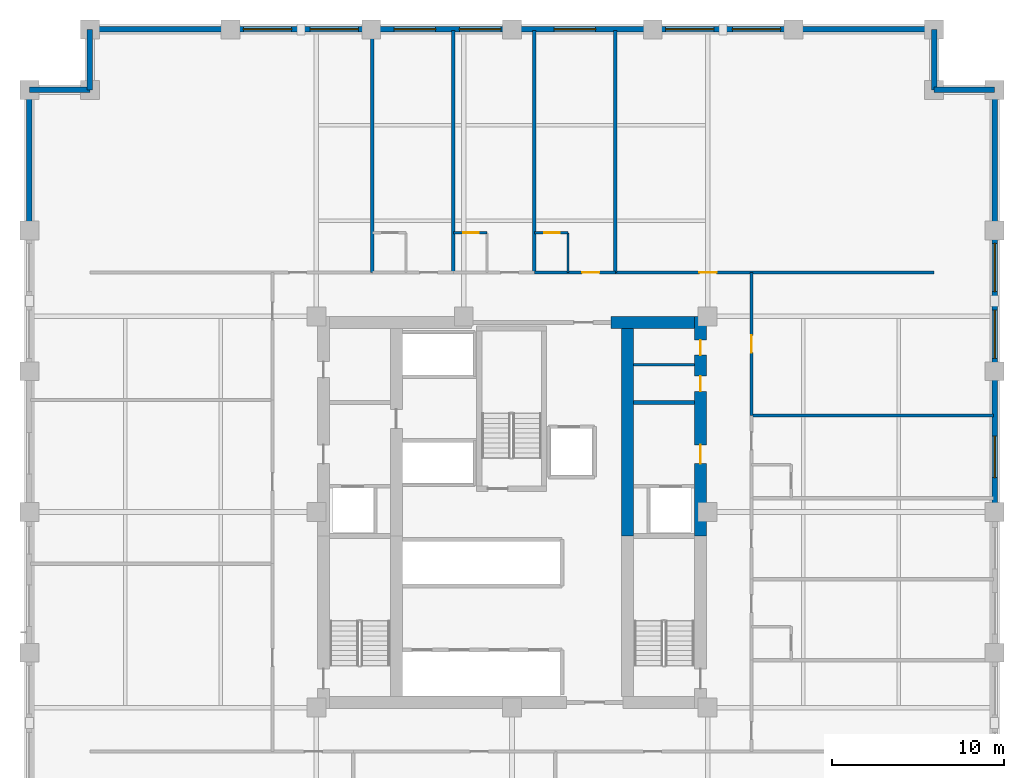
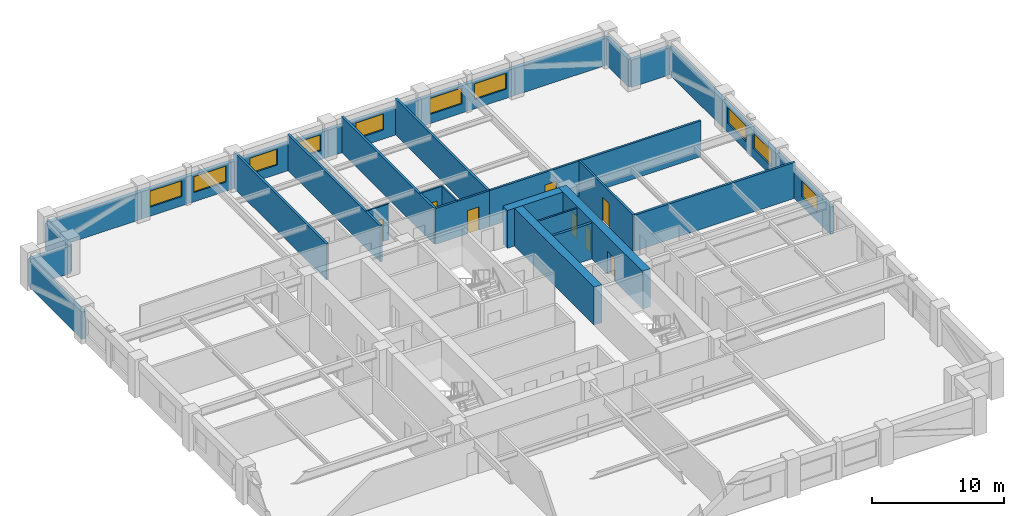
# One storey, part 6 of 8: 30 walls, 10 windows, 8 doors, 18 openings.
"""IFC4 building model written with IfcOpenShell, lengths in metres."""

from ifc_helpers import new_model, si_unit, direction, frame, frame_2d, origin, place, context, subcontext, project, spatial, rectangle, extrude, material, layer, layer_set, type_object, element, fill, save


model = new_model("IFC4")

# Units and contexts
model_context = context("Model", 3, precision=1e-05, world=origin(), true_north=direction((0.0, 1.0)))
body_context = subcontext(model_context, "Body", "Model", "MODEL_VIEW")
ifc_project = project(units=[si_unit("LENGTHUNIT", "METRE"), si_unit("AREAUNIT", "SQUARE_METRE"), si_unit("VOLUMEUNIT", "CUBIC_METRE"), si_unit("PLANEANGLEUNIT", "RADIAN"), si_unit("MASSUNIT", "GRAM", prefix="KILO")], contexts=[model_context])

# Site, building, storey
site_placement = place(None, origin())
site = spatial("IfcSite", under=ifc_project, at=site_placement, CompositionType="ELEMENT")
building_placement = place(site_placement, origin())
building = spatial("IfcBuilding", under=site, at=building_placement, Name="Nhamokura Convention Tower", CompositionType="ELEMENT")
storey_placement = place(building_placement, frame((0.0, 0.0, 56.35009765625)))
storey = spatial("IfcBuildingStorey", under=building, at=storey_placement, Name="L12", CompositionType="ELEMENT", Elevation=56.35009765625)

# Wall
ifc_material_1 = material(Name="Moisture-resistant tile-backer partition", Category="masonry")
ifc_layer_1 = layer(ifc_material_1, 0.139892578125)
ifc_layer_set_1 = layer_set([ifc_layer_1], Name="BathroomWetWall_140")
wall_type_1 = type_object("IfcWallType", Name="BathroomWetWall_140", PredefinedType="STANDARD", material=ifc_layer_set_1)
wall_1_placement = place(storey_placement, frame((39.06005859375, 40.550048828125, 0.0), z_axis=(0.0, 0.0, 1.0), x_axis=(1.0, 0.0, 0.0)))
element("IfcWall", 1, at=wall_1_placement, inside=storey, type_object=wall_type_1, Name="L12 Wall INT-L12-CWNE", PredefinedType="STANDARD", context=body_context, shape_type="SweptSolid", body=[
    extrude(rectangle(XDim=3.530029296875, YDim=0.139892578125, at=frame_2d((1.76513671875, 0.0))), origin(), (0.0, 0.0, 1.0), 3.31982421875),
])

# Wall, opening, door
wall_2_placement = place(storey_placement, frame((28.60009765625, 48.199951171875, 0.0), z_axis=(0.0, 0.0, 1.0), x_axis=(1.0, 0.0, 0.0)))
wall_2 = element("IfcWall", 2, at=wall_2_placement, inside=storey, type_object=wall_type_1, Name="L12 Wall INT-L12-BW-N02N", PredefinedType="STANDARD", context=body_context, shape_type="SweptSolid", body=[
    extrude(rectangle(XDim=1.949951171875, YDim=0.139892578125, at=frame_2d((0.97509765625, 0.0))), origin(), (0.0, 0.0, 1.0), 3.31982421875),
])
opening_1_placement = place(wall_2_placement, frame((0.580078125, 0.0, 0.0)))
opening_1 = element("IfcOpeningElement", 3, at=opening_1_placement, cuts=wall_2, Name="Opening D-11", PredefinedType="OPENING", context=body_context, shape_type="SweptSolid", body=[
    extrude(rectangle(XDim=0.8798828125, YDim=2.10009765625, at=frame_2d((0.43994140625, 1.050048828125))), frame((0.0, 0.079833984375, 0.0), z_axis=(0.0, -1.0, 0.0), x_axis=(1.0, 0.0, 0.0)), (0.0, 0.0, 1.0), 0.159912109375),
])
ifc_material_2 = material(Name="Solid oak hardwood", Category="wood")
door_type_1 = type_object("IfcDoorType", Name="BathroomDoor_880", OperationType="NOTDEFINED", PredefinedType="DOOR", material=ifc_material_2)
door_1_placement = place(opening_1_placement, origin())
door_1 = element("IfcDoor", 4, at=door_1_placement, inside=storey, type_object=door_type_1, Name="L12 Guest Room En-suite Door", OperationType="SINGLE_SWING_RIGHT", OverallHeight=2.10009765625, OverallWidth=0.8798828125, PredefinedType="DOOR", context=body_context, shape_type="SweptSolid", body=[
    extrude(rectangle(XDim=0.8798828125, YDim=2.10009765625, at=frame_2d((0.43994140625, 1.050048828125))), frame((0.0, 0.02490234375, 0.0), z_axis=(0.0, -1.0, 0.0), x_axis=(1.0, 0.0, 0.0)), (0.0, 0.0, 1.0), 0.050048828125),
])
fill(opening_1, door_1)

# Wall
wall_3_placement = place(storey_placement, frame((35.25, 45.89990234375, 0.0), z_axis=(0.0, 0.0, 1.0), x_axis=(0.0, 1.0, 0.0)))
element("IfcWall", 5, at=wall_3_placement, inside=storey, type_object=wall_type_1, Name="L12 Wall INT-L12-BW-N03E", PredefinedType="STANDARD", context=body_context, shape_type="SweptSolid", body=[
    extrude(rectangle(XDim=2.300048828125, YDim=0.139892578125, at=frame_2d((1.14990234375, 0.0))), origin(), (0.0, 0.0, 1.0), 3.31982421875),
])

# Wall, opening, door
wall_4_placement = place(storey_placement, frame((33.300048828125, 48.199951171875, 0.0), z_axis=(0.0, 0.0, 1.0), x_axis=(1.0, 0.0, 0.0)))
wall_4 = element("IfcWall", 6, at=wall_4_placement, inside=storey, type_object=wall_type_1, Name="L12 Wall INT-L12-BW-N03N", PredefinedType="STANDARD", context=body_context, shape_type="SweptSolid", body=[
    extrude(rectangle(XDim=1.949951171875, YDim=0.139892578125, at=frame_2d((0.97509765625, 0.0))), origin(), (0.0, 0.0, 1.0), 3.31982421875),
])
opening_2_placement = place(wall_4_placement, frame((0.580078125, 0.0, 0.0)))
opening_2 = element("IfcOpeningElement", 7, at=opening_2_placement, cuts=wall_4, Name="Opening D-11", PredefinedType="OPENING", context=body_context, shape_type="SweptSolid", body=[
    extrude(rectangle(XDim=0.8798828125, YDim=2.10009765625, at=frame_2d((0.43994140625, 1.050048828125))), frame((0.0, 0.079833984375, 0.0), z_axis=(0.0, -1.0, 0.0), x_axis=(1.0, 0.0, 0.0)), (0.0, 0.0, 1.0), 0.159912109375),
])
door_2_placement = place(opening_2_placement, origin())
door_2 = element("IfcDoor", 8, at=door_2_placement, inside=storey, type_object=door_type_1, Name="L12 Guest Room En-suite Door", OperationType="SINGLE_SWING_RIGHT", OverallHeight=2.10009765625, OverallWidth=0.8798828125, PredefinedType="DOOR", context=body_context, shape_type="SweptSolid", body=[
    extrude(rectangle(XDim=0.8798828125, YDim=2.10009765625, at=frame_2d((0.43994140625, 1.050048828125))), frame((0.0, 0.02490234375, 0.0), z_axis=(0.0, -1.0, 0.0), x_axis=(1.0, 0.0, 0.0)), (0.0, 0.0, 1.0), 0.050048828125),
])
fill(opening_2, door_2)

# Wall
ifc_material_3 = material(Name="Bronze-pigmented precast concrete C45/55", Category="concrete")
ifc_layer_2 = layer(ifc_material_3, 0.320068359375)
ifc_layer_set_2 = layer_set([ifc_layer_2], Name="BronzePrecastSpandrel_320")
wall_type_2 = type_object("IfcWallType", Name="BronzePrecastSpandrel_320", PredefinedType="USERDEFINED", material=ifc_layer_set_2)
wall_5_placement = place(storey_placement, frame((7.5, 60.0, 0.0), z_axis=(0.0, 0.0, 1.0), x_axis=(1.0, 0.0, 0.0)))
element("IfcWall", 9, at=wall_5_placement, inside=storey, type_object=wall_type_2, Name="L12 Braced-Bay Precast Wall NORTH 0", ObjectType="SPANDREL_WALL", PredefinedType="USERDEFINED", context=body_context, shape_type="SweptSolid", body=[
    extrude(rectangle(XDim=8.166748046875, YDim=0.320068359375, at=frame_2d((4.08349609375, 0.0))), origin(), (0.0, 0.0, 1.0), 2.52001953125),
])

# Wall, openings, windows
wall_6_placement = place(storey_placement, frame((15.666748046875, 60.0, 0.0), z_axis=(0.0, 0.0, 1.0), x_axis=(1.0, 0.0, 0.0)))
wall_6 = element("IfcWall", 10, at=wall_6_placement, inside=storey, type_object=wall_type_2, Name="L12 Masonry-Frame Wall NORTH 1", ObjectType="SPANDREL_WALL", PredefinedType="USERDEFINED", context=body_context, shape_type="SweptSolid", body=[
    extrude(rectangle(XDim=8.16650390625, YDim=0.320068359375, at=frame_2d((4.083251953125, 0.0))), origin(), (0.0, 0.0, 1.0), 2.52001953125),
])
opening_3_placement = place(wall_6_placement, frame((0.74169921875, 0.0, 0.85009765625)))
opening_3 = element("IfcOpeningElement", 11, at=opening_3_placement, cuts=wall_6, Name="Opening W-04", PredefinedType="OPENING", context=body_context, shape_type="SweptSolid", body=[
    extrude(rectangle(XDim=2.800048828125, YDim=1.469970703125, at=frame_2d((1.39990234375, 0.73486328125))), frame((0.0, 0.169921875, 0.0), z_axis=(0.0, -1.0, 0.0), x_axis=(1.0, 0.0, 0.0)), (0.0, 0.0, 1.0), 0.340087890625),
])
opening_4_placement = place(wall_6_placement, frame((4.625, 0.0, 0.85009765625)))
opening_4 = element("IfcOpeningElement", 12, at=opening_4_placement, cuts=wall_6, Name="Opening W-04", PredefinedType="OPENING", context=body_context, shape_type="SweptSolid", body=[
    extrude(rectangle(XDim=2.800048828125, YDim=1.469970703125, at=frame_2d((1.39990234375, 0.73486328125))), frame((0.0, 0.169921875, 0.0), z_axis=(0.0, -1.0, 0.0), x_axis=(1.0, 0.0, 0.0)), (0.0, 0.0, 1.0), 0.340087890625),
])
ifc_material_4 = material(Name="Solar-control bronze low-E double glass", Category="glass")
window_type_1 = type_object("IfcWindowType", Name="HotelSuiteWindow_2800", PartitioningType="DOUBLE_PANEL_VERTICAL", PredefinedType="WINDOW", material=ifc_material_4)
window_1_placement = place(opening_3_placement, origin())
window_1 = element("IfcWindow", 13, at=window_1_placement, inside=storey, type_object=window_type_1, Name="L12 Facade Window NORTH 1-1", OverallHeight=1.469970703125, OverallWidth=2.800048828125, PartitioningType="SINGLE_PANEL", PredefinedType="WINDOW", context=body_context, shape_type="SweptSolid", body=[
    extrude(rectangle(XDim=2.800048828125, YDim=1.469970703125, at=frame_2d((1.39990234375, 0.73486328125))), frame((0.0, 0.030029296875, 0.0), z_axis=(0.0, -1.0, 0.0), x_axis=(1.0, 0.0, 0.0)), (0.0, 0.0, 1.0), 0.06005859375),
])
fill(opening_3, window_1)
window_2_placement = place(opening_4_placement, origin())
window_2 = element("IfcWindow", 14, at=window_2_placement, inside=storey, type_object=window_type_1, Name="L12 Facade Window NORTH 1-2", OverallHeight=1.469970703125, OverallWidth=2.800048828125, PartitioningType="SINGLE_PANEL", PredefinedType="WINDOW", context=body_context, shape_type="SweptSolid", body=[
    extrude(rectangle(XDim=2.800048828125, YDim=1.469970703125, at=frame_2d((1.39990234375, 0.73486328125))), frame((0.0, 0.030029296875, 0.0), z_axis=(0.0, -1.0, 0.0), x_axis=(1.0, 0.0, 0.0)), (0.0, 0.0, 1.0), 0.06005859375),
])
fill(opening_4, window_2)

wall_7_placement = place(storey_placement, frame((23.833251953125, 60.0, 0.0), z_axis=(0.0, 0.0, 1.0), x_axis=(1.0, 0.0, 0.0)))
wall_7 = element("IfcWall", 15, at=wall_7_placement, inside=storey, type_object=wall_type_2, Name="L12 Masonry-Frame Wall NORTH 2", ObjectType="SPANDREL_WALL", PredefinedType="USERDEFINED", context=body_context, shape_type="SweptSolid", body=[
    extrude(rectangle(XDim=8.166748046875, YDim=0.320068359375, at=frame_2d((4.08349609375, 0.0))), origin(), (0.0, 0.0, 1.0), 2.52001953125),
])
opening_5_placement = place(wall_7_placement, frame((1.33349609375, 0.0, 0.85009765625)))
opening_5 = element("IfcOpeningElement", 16, at=opening_5_placement, cuts=wall_7, Name="Opening W-03", PredefinedType="OPENING", context=body_context, shape_type="SweptSolid", body=[
    extrude(rectangle(XDim=2.39990234375, YDim=1.469970703125, at=frame_2d((1.199951171875, 0.73486328125))), frame((0.0, 0.169921875, 0.0), z_axis=(0.0, -1.0, 0.0), x_axis=(1.0, 0.0, 0.0)), (0.0, 0.0, 1.0), 0.340087890625),
])
opening_6_placement = place(wall_7_placement, frame((5.11669921875, 0.0, 0.85009765625)))
opening_6 = element("IfcOpeningElement", 17, at=opening_6_placement, cuts=wall_7, Name="Opening W-03", PredefinedType="OPENING", context=body_context, shape_type="SweptSolid", body=[
    extrude(rectangle(XDim=2.39990234375, YDim=1.469970703125, at=frame_2d((1.199951171875, 0.73486328125))), frame((0.0, 0.169921875, 0.0), z_axis=(0.0, -1.0, 0.0), x_axis=(1.0, 0.0, 0.0)), (0.0, 0.0, 1.0), 0.340087890625),
])
ifc_material_5 = material(Name="Solar-control bronze low-E double glass", Category="glass")
window_type_2 = type_object("IfcWindowType", Name="HotelBayWindow_2400", PartitioningType="DOUBLE_PANEL_VERTICAL", PredefinedType="WINDOW", material=ifc_material_5)
window_3_placement = place(opening_5_placement, origin())
window_3 = element("IfcWindow", 18, at=window_3_placement, inside=storey, type_object=window_type_2, Name="L12 Facade Window NORTH 2-1", OverallHeight=1.469970703125, OverallWidth=2.39990234375, PartitioningType="SINGLE_PANEL", PredefinedType="WINDOW", context=body_context, shape_type="SweptSolid", body=[
    extrude(rectangle(XDim=2.39990234375, YDim=1.469970703125, at=frame_2d((1.199951171875, 0.73486328125))), frame((0.0, 0.030029296875, 0.0), z_axis=(0.0, -1.0, 0.0), x_axis=(1.0, 0.0, 0.0)), (0.0, 0.0, 1.0), 0.06005859375),
])
fill(opening_5, window_3)
window_4_placement = place(opening_6_placement, origin())
window_4 = element("IfcWindow", 19, at=window_4_placement, inside=storey, type_object=window_type_2, Name="L12 Facade Window NORTH 2-2", OverallHeight=1.469970703125, OverallWidth=2.39990234375, PartitioningType="SINGLE_PANEL", PredefinedType="WINDOW", context=body_context, shape_type="SweptSolid", body=[
    extrude(rectangle(XDim=2.39990234375, YDim=1.469970703125, at=frame_2d((1.199951171875, 0.73486328125))), frame((0.0, 0.030029296875, 0.0), z_axis=(0.0, -1.0, 0.0), x_axis=(1.0, 0.0, 0.0)), (0.0, 0.0, 1.0), 0.06005859375),
])
fill(opening_6, window_4)

# Wall, opening, window
wall_8_placement = place(storey_placement, frame((32.0, 60.0, 0.0), z_axis=(0.0, 0.0, 1.0), x_axis=(1.0, 0.0, 0.0)))
wall_8 = element("IfcWall", 20, at=wall_8_placement, inside=storey, type_object=wall_type_2, Name="L12 Masonry-Frame Wall NORTH 3", ObjectType="SPANDREL_WALL", PredefinedType="USERDEFINED", context=body_context, shape_type="SweptSolid", body=[
    extrude(rectangle(XDim=8.166748046875, YDim=0.320068359375, at=frame_2d((4.08349609375, 0.0))), origin(), (0.0, 0.0, 1.0), 2.52001953125),
])
opening_7_placement = place(wall_8_placement, frame((2.449951171875, 0.0, 0.85009765625)))
opening_7 = element("IfcOpeningElement", 21, at=opening_7_placement, cuts=wall_8, Name="Opening W-03", PredefinedType="OPENING", context=body_context, shape_type="SweptSolid", body=[
    extrude(rectangle(XDim=2.39990234375, YDim=1.469970703125, at=frame_2d((1.199951171875, 0.73486328125))), frame((0.0, 0.169921875, 0.0), z_axis=(0.0, -1.0, 0.0), x_axis=(1.0, 0.0, 0.0)), (0.0, 0.0, 1.0), 0.340087890625),
])
window_5_placement = place(opening_7_placement, origin())
window_5 = element("IfcWindow", 22, at=window_5_placement, inside=storey, type_object=window_type_2, Name="L12 Facade Window NORTH 3-2", OverallHeight=1.469970703125, OverallWidth=2.39990234375, PartitioningType="SINGLE_PANEL", PredefinedType="WINDOW", context=body_context, shape_type="SweptSolid", body=[
    extrude(rectangle(XDim=2.39990234375, YDim=1.469970703125, at=frame_2d((1.199951171875, 0.73486328125))), frame((0.0, 0.030029296875, 0.0), z_axis=(0.0, -1.0, 0.0), x_axis=(1.0, 0.0, 0.0)), (0.0, 0.0, 1.0), 0.06005859375),
])
fill(opening_7, window_5)

# Wall, openings, windows
wall_9_placement = place(storey_placement, frame((40.166748046875, 60.0, 0.0), z_axis=(0.0, 0.0, 1.0), x_axis=(1.0, 0.0, 0.0)))
wall_9 = element("IfcWall", 23, at=wall_9_placement, inside=storey, type_object=wall_type_2, Name="L12 Masonry-Frame Wall NORTH 4", ObjectType="SPANDREL_WALL", PredefinedType="USERDEFINED", context=body_context, shape_type="SweptSolid", body=[
    extrude(rectangle(XDim=8.16650390625, YDim=0.320068359375, at=frame_2d((4.083251953125, 0.0))), origin(), (0.0, 0.0, 1.0), 2.52001953125),
])
opening_8_placement = place(wall_9_placement, frame((0.74169921875, 0.0, 0.85009765625)))
opening_8 = element("IfcOpeningElement", 24, at=opening_8_placement, cuts=wall_9, Name="Opening W-04", PredefinedType="OPENING", context=body_context, shape_type="SweptSolid", body=[
    extrude(rectangle(XDim=2.800048828125, YDim=1.469970703125, at=frame_2d((1.39990234375, 0.73486328125))), frame((0.0, 0.169921875, 0.0), z_axis=(0.0, -1.0, 0.0), x_axis=(1.0, 0.0, 0.0)), (0.0, 0.0, 1.0), 0.340087890625),
])
opening_9_placement = place(wall_9_placement, frame((4.625, 0.0, 0.85009765625)))
opening_9 = element("IfcOpeningElement", 25, at=opening_9_placement, cuts=wall_9, Name="Opening W-04", PredefinedType="OPENING", context=body_context, shape_type="SweptSolid", body=[
    extrude(rectangle(XDim=2.800048828125, YDim=1.469970703125, at=frame_2d((1.39990234375, 0.73486328125))), frame((0.0, 0.169921875, 0.0), z_axis=(0.0, -1.0, 0.0), x_axis=(1.0, 0.0, 0.0)), (0.0, 0.0, 1.0), 0.340087890625),
])
window_6_placement = place(opening_8_placement, origin())
window_6 = element("IfcWindow", 26, at=window_6_placement, inside=storey, type_object=window_type_1, Name="L12 Facade Window NORTH 4-1", OverallHeight=1.469970703125, OverallWidth=2.800048828125, PartitioningType="SINGLE_PANEL", PredefinedType="WINDOW", context=body_context, shape_type="SweptSolid", body=[
    extrude(rectangle(XDim=2.800048828125, YDim=1.469970703125, at=frame_2d((1.39990234375, 0.73486328125))), frame((0.0, 0.030029296875, 0.0), z_axis=(0.0, -1.0, 0.0), x_axis=(1.0, 0.0, 0.0)), (0.0, 0.0, 1.0), 0.06005859375),
])
fill(opening_8, window_6)
window_7_placement = place(opening_9_placement, origin())
window_7 = element("IfcWindow", 27, at=window_7_placement, inside=storey, type_object=window_type_1, Name="L12 Facade Window NORTH 4-2", OverallHeight=1.469970703125, OverallWidth=2.800048828125, PartitioningType="SINGLE_PANEL", PredefinedType="WINDOW", context=body_context, shape_type="SweptSolid", body=[
    extrude(rectangle(XDim=2.800048828125, YDim=1.469970703125, at=frame_2d((1.39990234375, 0.73486328125))), frame((0.0, 0.030029296875, 0.0), z_axis=(0.0, -1.0, 0.0), x_axis=(1.0, 0.0, 0.0)), (0.0, 0.0, 1.0), 0.06005859375),
])
fill(opening_9, window_7)

# Walls
for number, where, z_axis, x_axis, name in (
    (28, (48.333251953125, 60.0, 0.0), (0.0, 0.0, 1.0), (1.0, 0.0, 0.0), "L12 Braced-Bay Precast Wall NORTH 5"),
    (29, (4.0, 48.333251953125, 0.0), (0.0, 0.0, 1.0), (0.0, 1.0, 0.0), "L12 Braced-Bay Precast Wall WEST 5"),
):
    element("IfcWall", number, at=place(storey_placement, frame(where, z_axis=z_axis, x_axis=x_axis)), inside=storey, type_object=wall_type_2, Name=name, ObjectType="SPANDREL_WALL", PredefinedType="USERDEFINED", context=body_context, shape_type="SweptSolid", body=[
        extrude(rectangle(XDim=8.166748046875, YDim=0.320068359375, at=frame_2d((4.08349609375, 0.0))), origin(), (0.0, 0.0, 1.0), 2.52001953125),
    ])

# Wall, opening, window
wall_10_placement = place(storey_placement, frame((60.0, 40.166748046875, 0.0), z_axis=(0.0, 0.0, 1.0), x_axis=(0.0, -1.0, 0.0)))
wall_10 = element("IfcWall", 30, at=wall_10_placement, inside=storey, type_object=wall_type_2, Name="L12 Masonry-Frame Wall EAST 3", ObjectType="SPANDREL_WALL", PredefinedType="USERDEFINED", context=body_context, shape_type="SweptSolid", body=[
    extrude(rectangle(XDim=8.166748046875, YDim=0.320068359375, at=frame_2d((4.08349609375, 0.0))), origin(), (0.0, 0.0, 1.0), 2.52001953125),
])
opening_10_placement = place(wall_10_placement, frame((3.7666015625, 0.0, 0.85009765625)))
opening_10 = element("IfcOpeningElement", 31, at=opening_10_placement, cuts=wall_10, Name="Opening W-03", PredefinedType="OPENING", context=body_context, shape_type="SweptSolid", body=[
    extrude(rectangle(XDim=2.39990234375, YDim=1.469970703125, at=frame_2d((1.199951171875, 0.73486328125))), frame((0.0, 0.169921875, 0.0), z_axis=(0.0, -1.0, 0.0), x_axis=(1.0, 0.0, 0.0)), (0.0, 0.0, 1.0), 0.340087890625),
])
window_8_placement = place(opening_10_placement, origin())
window_8 = element("IfcWindow", 32, at=window_8_placement, inside=storey, type_object=window_type_2, Name="L12 Facade Window EAST 3-2", OverallHeight=1.469970703125, OverallWidth=2.39990234375, PartitioningType="SINGLE_PANEL", PredefinedType="WINDOW", context=body_context, shape_type="SweptSolid", body=[
    extrude(rectangle(XDim=2.39990234375, YDim=1.469970703125, at=frame_2d((1.199951171875, 0.73486328125))), frame((0.0, 0.030029296875, 0.0), z_axis=(0.0, -1.0, 0.0), x_axis=(1.0, 0.0, 0.0)), (0.0, 0.0, 1.0), 0.06005859375),
])
fill(opening_10, window_8)

# Wall, openings, windows
wall_11_placement = place(storey_placement, frame((60.0, 48.333251953125, 0.0), z_axis=(0.0, 0.0, 1.0), x_axis=(0.0, -1.0, 0.0)))
wall_11 = element("IfcWall", 33, at=wall_11_placement, inside=storey, type_object=wall_type_2, Name="L12 Masonry-Frame Wall EAST 4", ObjectType="SPANDREL_WALL", PredefinedType="USERDEFINED", context=body_context, shape_type="SweptSolid", body=[
    extrude(rectangle(XDim=8.16650390625, YDim=0.320068359375, at=frame_2d((4.083251953125, 0.0))), origin(), (0.0, 0.0, 1.0), 2.52001953125),
])
opening_11_placement = place(wall_11_placement, frame((0.74169921875, 0.0, 0.85009765625)))
opening_11 = element("IfcOpeningElement", 34, at=opening_11_placement, cuts=wall_11, Name="Opening W-04", PredefinedType="OPENING", context=body_context, shape_type="SweptSolid", body=[
    extrude(rectangle(XDim=2.800048828125, YDim=1.469970703125, at=frame_2d((1.39990234375, 0.73486328125))), frame((0.0, 0.169921875, 0.0), z_axis=(0.0, -1.0, 0.0), x_axis=(1.0, 0.0, 0.0)), (0.0, 0.0, 1.0), 0.340087890625),
])
opening_12_placement = place(wall_11_placement, frame((4.625, 0.0, 0.85009765625)))
opening_12 = element("IfcOpeningElement", 35, at=opening_12_placement, cuts=wall_11, Name="Opening W-04", PredefinedType="OPENING", context=body_context, shape_type="SweptSolid", body=[
    extrude(rectangle(XDim=2.800048828125, YDim=1.469970703125, at=frame_2d((1.39990234375, 0.73486328125))), frame((0.0, 0.169921875, 0.0), z_axis=(0.0, -1.0, 0.0), x_axis=(1.0, 0.0, 0.0)), (0.0, 0.0, 1.0), 0.340087890625),
])
window_9_placement = place(opening_11_placement, origin())
window_9 = element("IfcWindow", 36, at=window_9_placement, inside=storey, type_object=window_type_1, Name="L12 Facade Window EAST 4-1", OverallHeight=1.469970703125, OverallWidth=2.800048828125, PartitioningType="SINGLE_PANEL", PredefinedType="WINDOW", context=body_context, shape_type="SweptSolid", body=[
    extrude(rectangle(XDim=2.800048828125, YDim=1.469970703125, at=frame_2d((1.39990234375, 0.73486328125))), frame((0.0, 0.030029296875, 0.0), z_axis=(0.0, -1.0, 0.0), x_axis=(1.0, 0.0, 0.0)), (0.0, 0.0, 1.0), 0.06005859375),
])
fill(opening_11, window_9)
window_10_placement = place(opening_12_placement, origin())
window_10 = element("IfcWindow", 37, at=window_10_placement, inside=storey, type_object=window_type_1, Name="L12 Facade Window EAST 4-2", OverallHeight=1.469970703125, OverallWidth=2.800048828125, PartitioningType="SINGLE_PANEL", PredefinedType="WINDOW", context=body_context, shape_type="SweptSolid", body=[
    extrude(rectangle(XDim=2.800048828125, YDim=1.469970703125, at=frame_2d((1.39990234375, 0.73486328125))), frame((0.0, 0.030029296875, 0.0), z_axis=(0.0, -1.0, 0.0), x_axis=(1.0, 0.0, 0.0)), (0.0, 0.0, 1.0), 0.06005859375),
])
fill(opening_12, window_10)

# Walls
wall_12_placement = place(storey_placement, frame((60.0, 56.5, 0.0), z_axis=(0.0, 0.0, 1.0), x_axis=(0.0, -1.0, 0.0)))
element("IfcWall", 38, at=wall_12_placement, inside=storey, type_object=wall_type_2, Name="L12 Braced-Bay Precast Wall EAST 5", ObjectType="SPANDREL_WALL", PredefinedType="USERDEFINED", context=body_context, shape_type="SweptSolid", body=[
    extrude(rectangle(XDim=8.166748046875, YDim=0.320068359375, at=frame_2d((4.08349609375, 0.0))), origin(), (0.0, 0.0, 1.0), 2.52001953125),
])
for number, where, z_axis, x_axis, name in (
    (39, (56.5, 56.5, 0.0), (0.0, 0.0, 1.0), (1.0, 0.0, 0.0), "L12 Notched Corner Wall NE1"),
    (40, (56.5, 60.0, 0.0), (0.0, 0.0, 1.0), (0.0, -1.0, 0.0), "L12 Notched Corner Wall NE2"),
    (41, (7.5, 56.5, 0.0), (0.0, 0.0, 1.0), (0.0, 1.0, 0.0), "L12 Notched Corner Wall NW1"),
    (42, (4.0, 56.5, 0.0), (0.0, 0.0, 1.0), (1.0, 0.0, 0.0), "L12 Notched Corner Wall NW2"),
):
    element("IfcWall", number, at=place(storey_placement, frame(where, z_axis=z_axis, x_axis=x_axis)), inside=storey, type_object=wall_type_2, Name=name, ObjectType="SPANDREL_WALL", PredefinedType="USERDEFINED", context=body_context, shape_type="SweptSolid", body=[
        extrude(rectangle(XDim=3.5, YDim=0.320068359375, at=frame_2d((1.75, 0.0))), origin(), (0.0, 0.0, 1.0), 2.52001953125),
    ])

# Wall, openings, doors
ifc_material_6 = material(Name="Concrete C70/85", Category="concrete")
ifc_layer_3 = layer(ifc_material_6, 0.699951171875)
ifc_layer_set_3 = layer_set([ifc_layer_3], Name="CoreShearWall_700")
wall_type_3 = type_object("IfcWallType", Name="CoreShearWall_700", PredefinedType="SHEAR", material=ifc_layer_set_3)
wall_13_placement = place(storey_placement, frame((42.93994140625, 30.60009765625, 0.0), z_axis=(0.0, 0.0, 1.0), x_axis=(0.0, 1.0, 0.0)))
wall_13 = element("IfcWall", 43, at=wall_13_placement, inside=storey, type_object=wall_type_3, Name="L12 Core Shear Wall CW-EN", PredefinedType="SHEAR", context=body_context, shape_type="SweptSolid", body=[
    extrude(rectangle(XDim=12.75, YDim=0.699951171875, at=frame_2d((6.375, 0.0))), origin(), (0.0, 0.0, 1.0), 3.5),
])
opening_13_placement = place(wall_13_placement, frame((4.199951171875, 0.0, 0.0)))
opening_13 = element("IfcOpeningElement", 44, at=opening_13_placement, cuts=wall_13, Name="Opening D-05", PredefinedType="OPENING", context=body_context, shape_type="SweptSolid", body=[
    extrude(rectangle(XDim=1.10009765625, YDim=2.14990234375, at=frame_2d((0.550048828125, 1.074951171875))), frame((0.0, 0.35986328125, 0.0), z_axis=(0.0, -1.0, 0.0), x_axis=(1.0, 0.0, 0.0)), (0.0, 0.0, 1.0), 0.719970703125),
])
opening_14_placement = place(wall_13_placement, frame((8.39990234375, 0.0, 0.0)))
opening_14 = element("IfcOpeningElement", 45, at=opening_14_placement, cuts=wall_13, Name="Opening D-11", PredefinedType="OPENING", context=body_context, shape_type="SweptSolid", body=[
    extrude(rectangle(XDim=0.8798828125, YDim=2.10009765625, at=frame_2d((0.43994140625, 1.050048828125))), frame((0.0, 0.35986328125, 0.0), z_axis=(0.0, -1.0, 0.0), x_axis=(1.0, 0.0, 0.0)), (0.0, 0.0, 1.0), 0.719970703125),
])
opening_15_placement = place(wall_13_placement, frame((10.5, 0.0, 0.0)))
opening_15 = element("IfcOpeningElement", 46, at=opening_15_placement, cuts=wall_13, Name="Opening D-11", PredefinedType="OPENING", context=body_context, shape_type="SweptSolid", body=[
    extrude(rectangle(XDim=0.8798828125, YDim=2.10009765625, at=frame_2d((0.43994140625, 1.050048828125))), frame((0.0, 0.35986328125, 0.0), z_axis=(0.0, -1.0, 0.0), x_axis=(1.0, 0.0, 0.0)), (0.0, 0.0, 1.0), 0.719970703125),
])
door_3_placement = place(opening_14_placement, origin())
door_3 = element("IfcDoor", 47, at=door_3_placement, inside=storey, type_object=door_type_1, Name="L12 Core Door INT-L12-D-MWC", OperationType="SINGLE_SWING_RIGHT", OverallHeight=2.10009765625, OverallWidth=0.8798828125, PredefinedType="DOOR", context=body_context, shape_type="SweptSolid", body=[
    extrude(rectangle(XDim=0.8798828125, YDim=2.10009765625, at=frame_2d((0.43994140625, 1.050048828125))), frame((0.0, 0.02490234375, 0.0), z_axis=(0.0, -1.0, 0.0), x_axis=(1.0, 0.0, 0.0)), (0.0, 0.0, 1.0), 0.050048828125),
])
fill(opening_14, door_3)
door_4_placement = place(opening_15_placement, origin())
door_4 = element("IfcDoor", 48, at=door_4_placement, inside=storey, type_object=door_type_1, Name="L12 Core Door INT-L12-D-FWC", OperationType="SINGLE_SWING_LEFT", OverallHeight=2.10009765625, OverallWidth=0.8798828125, PredefinedType="DOOR", context=body_context, shape_type="SweptSolid", body=[
    extrude(rectangle(XDim=0.8798828125, YDim=2.10009765625, at=frame_2d((0.43994140625, 1.050048828125))), frame((0.0, 0.02490234375, 0.0), z_axis=(0.0, -1.0, 0.0), x_axis=(1.0, 0.0, 0.0)), (0.0, 0.0, 1.0), 0.050048828125),
])
fill(opening_15, door_4)
ifc_material_7 = material(Name="Fire-rated steel door", Category="steel")
door_type_2 = type_object("IfcDoorType", Name="FireLobbyDoor_1100", OperationType="NOTDEFINED", PredefinedType="DOOR", material=ifc_material_7)
door_5_placement = place(opening_13_placement, origin())
door_5 = element("IfcDoor", 49, at=door_5_placement, inside=storey, type_object=door_type_2, Name="L12 Core Door INT-L12-D-FFLE", OperationType="SINGLE_SWING_LEFT", OverallHeight=2.14990234375, OverallWidth=1.10009765625, PredefinedType="DOOR", context=body_context, shape_type="SweptSolid", body=[
    extrude(rectangle(XDim=1.10009765625, YDim=2.14990234375, at=frame_2d((0.550048828125, 1.074951171875))), frame((0.0, 0.02490234375, 0.0), z_axis=(0.0, -1.0, 0.0), x_axis=(1.0, 0.0, 0.0)), (0.0, 0.0, 1.0), 0.050048828125),
])
fill(opening_13, door_5)

# Walls
wall_14_placement = place(storey_placement, frame((37.75, 43.0, 0.0), z_axis=(0.0, 0.0, 1.0), x_axis=(1.0, 0.0, 0.0)))
element("IfcWall", 50, at=wall_14_placement, inside=storey, type_object=wall_type_3, Name="L12 Core Shear Wall CW-N2", PredefinedType="SHEAR", context=body_context, shape_type="SweptSolid", body=[
    extrude(rectangle(XDim=4.840087890625, YDim=0.699951171875, at=frame_2d((2.419921875, 0.0))), origin(), (0.0, 0.0, 1.0), 3.5),
])
wall_15_placement = place(storey_placement, frame((38.7099609375, 30.60009765625, 0.0), z_axis=(0.0, 0.0, 1.0), x_axis=(0.0, 1.0, 0.0)))
element("IfcWall", 51, at=wall_15_placement, inside=storey, type_object=wall_type_3, Name="L12 Core Shear Wall CW-IEN", PredefinedType="SHEAR", context=body_context, shape_type="SweptSolid", body=[
    extrude(rectangle(XDim=12.0498046875, YDim=0.699951171875, at=frame_2d((6.02490234375, 0.0))), origin(), (0.0, 0.0, 1.0), 3.5),
])

# Wall, opening, door
ifc_material_8 = material(Name="Fire-rated gypsum and masonry partition", Category="masonry")
ifc_layer_4 = layer(ifc_material_8, 0.179931640625)
ifc_layer_set_4 = layer_set([ifc_layer_4], Name="CorridorRatedWall_180")
wall_type_4 = type_object("IfcWallType", Name="CorridorRatedWall_180", PredefinedType="STANDARD", material=ifc_layer_set_4)
wall_16_placement = place(storey_placement, frame((33.300048828125, 45.89990234375, 0.0), z_axis=(0.0, 0.0, 1.0), x_axis=(1.0, 0.0, 0.0)))
wall_16 = element("IfcWall", 52, at=wall_16_placement, inside=storey, type_object=wall_type_4, Name="L12 Wall INT-L12-CW-N03", PredefinedType="STANDARD", context=body_context, shape_type="SweptSolid", body=[
    extrude(rectangle(XDim=4.699951171875, YDim=0.179931640625, at=frame_2d((2.35009765625, 0.0))), origin(), (0.0, 0.0, 1.0), 3.31982421875),
])
opening_16_placement = place(wall_16_placement, frame((2.77490234375, 0.0, 0.0)))
opening_16 = element("IfcOpeningElement", 53, at=opening_16_placement, cuts=wall_16, Name="Opening D-07", PredefinedType="OPENING", context=body_context, shape_type="SweptSolid", body=[
    extrude(rectangle(XDim=1.0, YDim=2.14990234375, at=frame_2d((0.5, 1.074951171875))), frame((0.0, 0.099853515625, 0.0), z_axis=(0.0, -1.0, 0.0), x_axis=(1.0, 0.0, 0.0)), (0.0, 0.0, 1.0), 0.199951171875),
])
ifc_material_9 = material(Name="Solid oak hardwood", Category="wood")
door_type_3 = type_object("IfcDoorType", Name="HotelSuiteEntryDoor_1000", OperationType="NOTDEFINED", PredefinedType="DOOR", material=ifc_material_9)
door_6_placement = place(opening_16_placement, origin())
door_6 = element("IfcDoor", 54, at=door_6_placement, inside=storey, type_object=door_type_3, Name="L12 Guest Room N04 Door", OperationType="SINGLE_SWING_RIGHT", OverallHeight=2.14990234375, OverallWidth=1.0, PredefinedType="DOOR", context=body_context, shape_type="SweptSolid", body=[
    extrude(rectangle(XDim=1.0, YDim=2.14990234375, at=frame_2d((0.5, 1.074951171875))), frame((0.0, 0.02490234375, 0.0), z_axis=(0.0, -1.0, 0.0), x_axis=(1.0, 0.0, 0.0)), (0.0, 0.0, 1.0), 0.050048828125),
])
fill(opening_16, door_6)

wall_17_placement = place(storey_placement, frame((38.0, 45.89990234375, 0.0), z_axis=(0.0, 0.0, 1.0), x_axis=(1.0, 0.0, 0.0)))
wall_17 = element("IfcWall", 55, at=wall_17_placement, inside=storey, type_object=wall_type_4, Name="L12 Wall INT-L12-CW-N04", PredefinedType="STANDARD", context=body_context, shape_type="SweptSolid", body=[
    extrude(rectangle(XDim=18.5, YDim=0.179931640625, at=frame_2d((9.25, 0.0))), origin(), (0.0, 0.0, 1.0), 3.31982421875),
])
opening_17_placement = place(wall_17_placement, frame((4.875, 0.0, 0.0)))
opening_17 = element("IfcOpeningElement", 56, at=opening_17_placement, cuts=wall_17, Name="Opening D-07", PredefinedType="OPENING", context=body_context, shape_type="SweptSolid", body=[
    extrude(rectangle(XDim=1.0, YDim=2.14990234375, at=frame_2d((0.5, 1.074951171875))), frame((0.0, 0.099853515625, 0.0), z_axis=(0.0, -1.0, 0.0), x_axis=(1.0, 0.0, 0.0)), (0.0, 0.0, 1.0), 0.199951171875),
])
door_7_placement = place(opening_17_placement, origin())
door_7 = element("IfcDoor", 57, at=door_7_placement, inside=storey, type_object=door_type_3, Name="L12 Conference Salon N05 Door", OperationType="SINGLE_SWING_LEFT", OverallHeight=2.14990234375, OverallWidth=1.0, PredefinedType="DOOR", context=body_context, shape_type="SweptSolid", body=[
    extrude(rectangle(XDim=1.0, YDim=2.14990234375, at=frame_2d((0.5, 1.074951171875))), frame((0.0, 0.02490234375, 0.0), z_axis=(0.0, -1.0, 0.0), x_axis=(1.0, 0.0, 0.0)), (0.0, 0.0, 1.0), 0.050048828125),
])
fill(opening_17, door_7)

wall_18_placement = place(storey_placement, frame((45.89990234375, 37.60009765625, 0.0), z_axis=(0.0, 0.0, 1.0), x_axis=(0.0, 1.0, 0.0)))
wall_18 = element("IfcWall", 58, at=wall_18_placement, inside=storey, type_object=wall_type_4, Name="L12 Wall INT-L12-CW-E04", PredefinedType="STANDARD", context=body_context, shape_type="SweptSolid", body=[
    extrude(rectangle(XDim=8.2998046875, YDim=0.179931640625, at=frame_2d((4.14990234375, 0.0))), origin(), (0.0, 0.0, 1.0), 3.31982421875),
])
opening_18_placement = place(wall_18_placement, frame((3.64990234375, 0.0, 0.0)))
opening_18 = element("IfcOpeningElement", 59, at=opening_18_placement, cuts=wall_18, Name="Opening D-07", PredefinedType="OPENING", context=body_context, shape_type="SweptSolid", body=[
    extrude(rectangle(XDim=1.0, YDim=2.14990234375, at=frame_2d((0.5, 1.074951171875))), frame((0.0, 0.099853515625, 0.0), z_axis=(0.0, -1.0, 0.0), x_axis=(1.0, 0.0, 0.0)), (0.0, 0.0, 1.0), 0.199951171875),
])
door_8_placement = place(opening_18_placement, origin())
door_8 = element("IfcDoor", 60, at=door_8_placement, inside=storey, type_object=door_type_3, Name="L12 Conference Salon E05 Door", OperationType="SINGLE_SWING_LEFT", OverallHeight=2.14990234375, OverallWidth=1.0, PredefinedType="DOOR", context=body_context, shape_type="SweptSolid", body=[
    extrude(rectangle(XDim=1.0, YDim=2.14990234375, at=frame_2d((0.5, 1.074951171875))), frame((0.0, 0.02490234375, 0.0), z_axis=(0.0, -1.0, 0.0), x_axis=(1.0, 0.0, 0.0)), (0.0, 0.0, 1.0), 0.050048828125),
])
fill(opening_18, door_8)

# Walls
ifc_material_10 = material(Name="Autoclaved concrete blockwork", Category="masonry")
ifc_layer_5 = layer(ifc_material_10, 0.219970703125)
ifc_layer_set_5 = layer_set([ifc_layer_5], Name="FireLobbyWall_220")
wall_type_5 = type_object("IfcWallType", Name="FireLobbyWall_220", PredefinedType="STANDARD", material=ifc_layer_set_5)
wall_19_placement = place(storey_placement, frame((39.06005859375, 38.35009765625, 0.0), z_axis=(0.0, 0.0, 1.0), x_axis=(1.0, 0.0, 0.0)))
element("IfcWall", 61, at=wall_19_placement, inside=storey, type_object=wall_type_5, Name="L12 Wall INT-L12-FFE-N", PredefinedType="STANDARD", context=body_context, shape_type="SweptSolid", body=[
    extrude(rectangle(XDim=3.530029296875, YDim=0.219970703125, at=frame_2d((1.76513671875, 0.0))), origin(), (0.0, 0.0, 1.0), 3.31982421875),
])
ifc_material_11 = material(Name="Acoustic twin-stud gypsum partition", Category="masonry")
ifc_layer_6 = layer(ifc_material_11, 0.199951171875)
ifc_layer_set_6 = layer_set([ifc_layer_6], Name="HotelDemisingWall_200")
wall_type_6 = type_object("IfcWallType", Name="HotelDemisingWall_200", PredefinedType="STANDARD", material=ifc_layer_set_6)
for number, where, z_axis, x_axis, name in (
    (62, (23.89990234375, 45.89990234375, 0.0), (0.0, 0.0, 1.0), (0.0, 1.0, 0.0), "L12 Wall INT-L12-RW-N01"),
    (63, (28.60009765625, 45.89990234375, 0.0), (0.0, 0.0, 1.0), (0.0, 1.0, 0.0), "L12 Wall INT-L12-RW-N02"),
    (64, (33.300048828125, 45.89990234375, 0.0), (0.0, 0.0, 1.0), (0.0, 1.0, 0.0), "L12 Wall INT-L12-RW-N03"),
    (65, (38.0, 45.89990234375, 0.0), (0.0, 0.0, 1.0), (0.0, 1.0, 0.0), "L12 Wall INT-L12-RW-N04"),
    (66, (45.89990234375, 37.60009765625, 0.0), (0.0, 0.0, 1.0), (1.0, 0.0, 0.0), "L12 Wall INT-L12-RW-E04"),
):
    element("IfcWall", number, at=place(storey_placement, frame(where, z_axis=z_axis, x_axis=x_axis)), inside=storey, type_object=wall_type_6, Name=name, PredefinedType="STANDARD", context=body_context, shape_type="SweptSolid", body=[
        extrude(rectangle(XDim=14.0400390625, YDim=0.199951171875, at=frame_2d((7.02001953125, 0.0))), origin(), (0.0, 0.0, 1.0), 3.31982421875),
    ])

save(model, "model.ifc")
